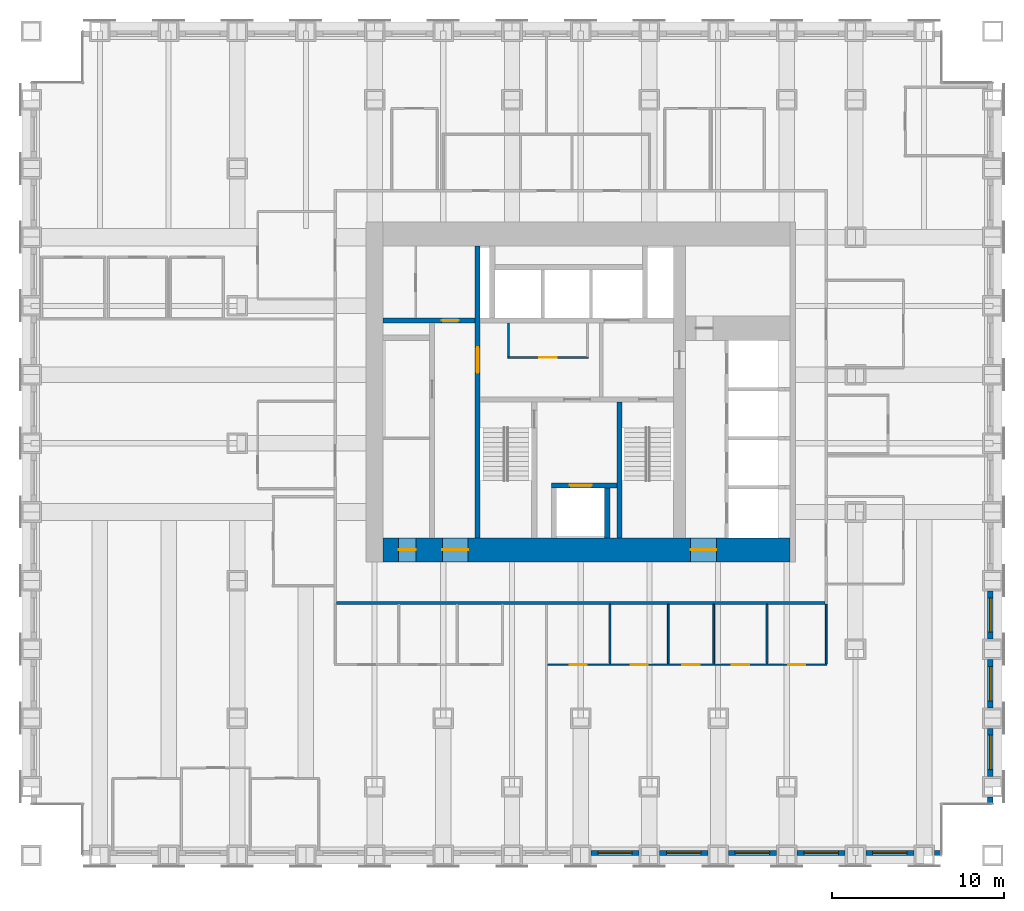
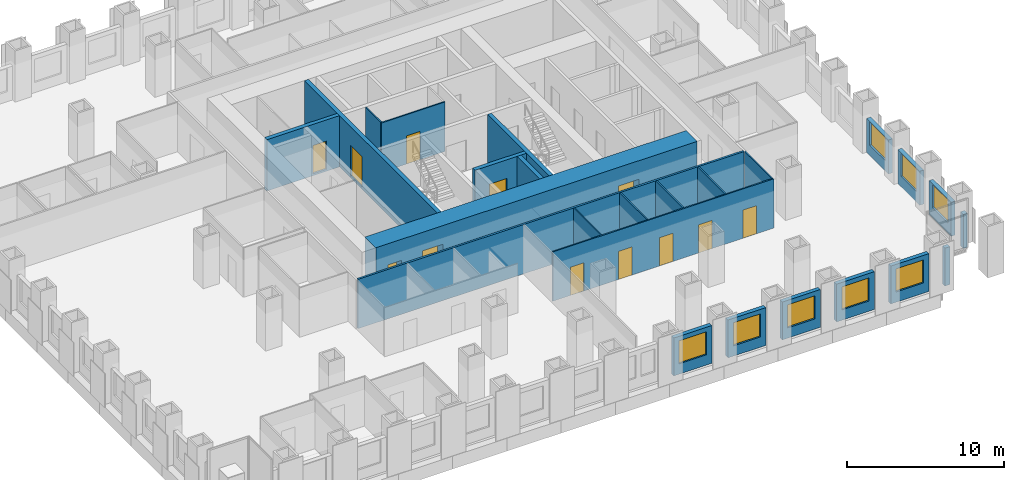
# One storey, part 9 of 15: 25 walls, 12 doors, 8 windows, 20 openings.
"""IFC4 building model written with IfcOpenShell, lengths in metres."""

from ifc_helpers import new_model, si_unit, direction, frame, frame_2d, origin, place, context, subcontext, project, spatial, rectangle, extrude, material, layer, layer_set, type_object, element, fill, save


model = new_model("IFC4")

# Units and contexts
model_context = context("Model", 3, precision=1e-05, world=origin(), true_north=direction((0.0, 1.0)))
body_context = subcontext(model_context, "Body", "Model", "MODEL_VIEW")
ifc_project = project(units=[si_unit("LENGTHUNIT", "METRE"), si_unit("AREAUNIT", "SQUARE_METRE"), si_unit("VOLUMEUNIT", "CUBIC_METRE"), si_unit("PLANEANGLEUNIT", "RADIAN"), si_unit("MASSUNIT", "GRAM", prefix="KILO")], contexts=[model_context])

# Site, building, storey
site_placement = place(None, origin())
site = spatial("IfcSite", under=ifc_project, at=site_placement, CompositionType="ELEMENT")
building_placement = place(site_placement, origin())
building = spatial("IfcBuilding", under=site, at=building_placement, Name="Rimbunsela Tower", CompositionType="ELEMENT")
storey_placement = place(building_placement, frame((0.0, 0.0, 67.0)))
storey = spatial("IfcBuildingStorey", under=building, at=storey_placement, Name="L16", CompositionType="ELEMENT", Elevation=67.0)

# Wall, opening, door
ifc_material_1 = material(Name="Concrete fc' 80 MPa", Category="concrete")
ifc_layer_1 = layer(ifc_material_1, 0.300048828125)
ifc_layer_set_1 = layer_set([ifc_layer_1], Name="Core internal wall 300")
wall_type_1 = type_object("IfcWallType", Name="Core internal wall 300", PredefinedType="SHEAR", material=ifc_layer_set_1)
wall_1_placement = place(storey_placement, frame((24.0, 18.5, -0.14990234375), z_axis=(0.0, 0.0, 1.0), x_axis=(0.0, 1.0, 0.0)))
wall_1 = element("IfcWall", 1, at=wall_1_placement, inside=storey, type_object=wall_type_1, Name="Core wall at stair A", PredefinedType="SHEAR", context=body_context, shape_type="SweptSolid", body=[
    extrude(rectangle(XDim=17.0, YDim=0.300048828125, at=frame_2d((8.5, 0.0))), origin(), (0.0, 0.0, 1.0), 4.0),
])
opening_1_placement = place(wall_1_placement, frame((9.60009765625, 0.0, 0.14990234375)))
opening_1 = element("IfcOpeningElement", 2, at=opening_1_placement, cuts=wall_1, Name="Opening D03", PredefinedType="OPENING", context=body_context, shape_type="SweptSolid", body=[
    extrude(rectangle(XDim=1.5, YDim=2.39990234375, at=frame_2d((0.75, 1.199951171875))), frame((0.0, 0.159912109375, 0.0), z_axis=(0.0, -1.0, 0.0), x_axis=(1.0, 0.0, 0.0)), (0.0, 0.0, 1.0), 0.320068359375),
])
ifc_material_2 = material(Name="Steel door, fire rated", Category="steel")
door_type_1 = type_object("IfcDoorType", Name="Core lobby door 1500", OperationType="DOUBLE_DOOR_DOUBLE_SWING", PredefinedType="DOOR", material=ifc_material_2)
door_1_placement = place(opening_1_placement, origin())
door_1 = element("IfcDoor", 3, at=door_1_placement, inside=storey, type_object=door_type_1, Name="West lobby door", OperationType="DOUBLE_DOOR_DOUBLE_SWING", OverallHeight=2.39990234375, OverallWidth=1.5, PredefinedType="DOOR", context=body_context, shape_type="SweptSolid", body=[
    extrude(rectangle(XDim=1.5, YDim=2.39990234375, at=frame_2d((0.75, 1.199951171875))), frame((0.0, 0.02490234375, 0.0), z_axis=(0.0, -1.0, 0.0), x_axis=(1.0, 0.0, 0.0)), (0.0, 0.0, 1.0), 0.050048828125),
])
fill(opening_1, door_1)

# Walls
wall_2_placement = place(storey_placement, frame((32.25, 18.5, -0.14990234375), z_axis=(0.0, 0.0, 1.0), x_axis=(0.0, 1.0, 0.0)))
element("IfcWall", 4, at=wall_2_placement, inside=storey, type_object=wall_type_1, Name="Stair B enclosure", PredefinedType="SHEAR", context=body_context, shape_type="SweptSolid", body=[
    extrude(rectangle(XDim=7.89990234375, YDim=0.300048828125, at=frame_2d((3.949951171875, 0.0))), origin(), (0.0, 0.0, 1.0), 4.0),
])
wall_3_placement = place(storey_placement, frame((31.550048828125, 18.5, -0.14990234375), z_axis=(0.0, 0.0, 1.0), x_axis=(0.0, 1.0, 0.0)))
element("IfcWall", 5, at=wall_3_placement, inside=storey, type_object=wall_type_1, Name="Firefighting lift shaft east", PredefinedType="SHEAR", context=body_context, shape_type="SweptSolid", body=[
    extrude(rectangle(XDim=2.89990234375, YDim=0.300048828125, at=frame_2d((1.449951171875, 0.0))), origin(), (0.0, 0.0, 1.0), 4.0),
])

# Wall, opening, door
wall_4_placement = place(storey_placement, frame((28.300048828125, 21.550048828125, -0.14990234375), z_axis=(0.0, 0.0, 1.0), x_axis=(1.0, 0.0, 0.0)))
wall_4 = element("IfcWall", 6, at=wall_4_placement, inside=storey, type_object=wall_type_1, Name="Firefighting lift shaft front", PredefinedType="SHEAR", context=body_context, shape_type="SweptSolid", body=[
    extrude(rectangle(XDim=3.800048828125, YDim=0.300048828125, at=frame_2d((1.89990234375, 0.0))), origin(), (0.0, 0.0, 1.0), 4.0),
])
opening_2_placement = place(wall_4_placement, frame((1.050048828125, 0.0, 0.14990234375)))
opening_2 = element("IfcOpeningElement", 7, at=opening_2_placement, cuts=wall_4, Name="Opening LD2", PredefinedType="OPENING", context=body_context, shape_type="SweptSolid", body=[
    extrude(rectangle(XDim=1.300048828125, YDim=2.39990234375, at=frame_2d((0.64990234375, 1.199951171875))), frame((0.0, 0.159912109375, 0.0), z_axis=(0.0, -1.0, 0.0), x_axis=(1.0, 0.0, 0.0)), (0.0, 0.0, 1.0), 0.320068359375),
])
ifc_material_3 = material(Name="Steel door, fire rated", Category="steel")
door_type_2 = type_object("IfcDoorType", Name="Lift landing door 1300", OperationType="DOUBLE_DOOR_SLIDING", PredefinedType="DOOR", material=ifc_material_3)
door_2_placement = place(opening_2_placement, origin())
door_2 = element("IfcDoor", 8, at=door_2_placement, inside=storey, type_object=door_type_2, Name="Lift landing door FL1", OperationType="DOUBLE_DOOR_SLIDING", OverallHeight=2.39990234375, OverallWidth=1.300048828125, PredefinedType="DOOR", context=body_context, shape_type="SweptSolid", body=[
    extrude(rectangle(XDim=1.300048828125, YDim=2.39990234375, at=frame_2d((0.64990234375, 1.199951171875))), frame((0.0, 0.02490234375, 0.0), z_axis=(0.0, -1.0, 0.0), x_axis=(1.0, 0.0, 0.0)), (0.0, 0.0, 1.0), 0.050048828125),
])
fill(opening_2, door_2)

wall_5_placement = place(storey_placement, frame((18.5, 31.14990234375, -0.14990234375), z_axis=(0.0, 0.0, 1.0), x_axis=(1.0, 0.0, 0.0)))
wall_5 = element("IfcWall", 9, at=wall_5_placement, inside=storey, type_object=wall_type_1, Name="Store wall", PredefinedType="SHEAR", context=body_context, shape_type="SweptSolid", body=[
    extrude(rectangle(XDim=5.35009765625, YDim=0.300048828125, at=frame_2d((2.675048828125, 0.0))), origin(), (0.0, 0.0, 1.0), 4.0),
])
opening_3_placement = place(wall_5_placement, frame((3.39990234375, 0.0, 0.14990234375)))
opening_3 = element("IfcOpeningElement", 10, at=opening_3_placement, cuts=wall_5, Name="Opening D19", PredefinedType="OPENING", context=body_context, shape_type="SweptSolid", body=[
    extrude(rectangle(XDim=1.0, YDim=2.199951171875, at=frame_2d((0.5, 1.10009765625))), frame((0.0, 0.159912109375, 0.0), z_axis=(0.0, -1.0, 0.0), x_axis=(1.0, 0.0, 0.0)), (0.0, 0.0, 1.0), 0.320068359375),
])
ifc_material_4 = material(Name="Steel door, fire rated", Category="steel")
door_type_3 = type_object("IfcDoorType", Name="Service door 1000 fire rated", OperationType="SINGLE_SWING_LEFT", PredefinedType="DOOR", material=ifc_material_4)
door_3_placement = place(opening_3_placement, origin())
door_3 = element("IfcDoor", 11, at=door_3_placement, inside=storey, type_object=door_type_3, Name="Cleaners store door", OperationType="SINGLE_SWING_LEFT", OverallHeight=2.199951171875, OverallWidth=1.0, PredefinedType="DOOR", context=body_context, shape_type="SweptSolid", body=[
    extrude(rectangle(XDim=1.0, YDim=2.199951171875, at=frame_2d((0.5, 1.10009765625))), frame((0.0, 0.02490234375, 0.0), z_axis=(0.0, -1.0, 0.0), x_axis=(1.0, 0.0, 0.0)), (0.0, 0.0, 1.0), 0.050048828125),
])
fill(opening_3, door_3)

ifc_material_5 = material(Name="Concrete blockwork", Category="masonry")
ifc_layer_2 = layer(ifc_material_5, 0.10009765625)
ifc_layer_set_2 = layer_set([ifc_layer_2], Name="Core room partition 100")
wall_type_2 = type_object("IfcWallType", Name="Core room partition 100", PredefinedType="PARTITIONING", material=ifc_layer_set_2)
wall_6_placement = place(storey_placement, frame((25.75, 29.0, 0.0), z_axis=(0.0, 0.0, 1.0), x_axis=(1.0, 0.0, 0.0)))
wall_6 = element("IfcWall", 12, at=wall_6_placement, inside=storey, type_object=wall_type_2, Name="Lobby room wall", PredefinedType="PARTITIONING", context=body_context, shape_type="SweptSolid", body=[
    extrude(rectangle(XDim=4.699951171875, YDim=0.10009765625, at=frame_2d((2.35009765625, 0.0))), origin(), (0.0, 0.0, 1.0), 3.85009765625),
])
opening_4_placement = place(wall_6_placement, frame((1.85009765625, 0.0, 0.0)))
opening_4 = element("IfcOpeningElement", 13, at=opening_4_placement, cuts=wall_6, Name="Opening D19", PredefinedType="OPENING", context=body_context, shape_type="SweptSolid", body=[
    extrude(rectangle(XDim=1.0, YDim=2.199951171875, at=frame_2d((0.5, 1.10009765625))), frame((0.0, 0.06005859375, 0.0), z_axis=(0.0, -1.0, 0.0), x_axis=(1.0, 0.0, 0.0)), (0.0, 0.0, 1.0), 0.1201171875),
])
door_4_placement = place(opening_4_placement, origin())
door_4 = element("IfcDoor", 14, at=door_4_placement, inside=storey, type_object=door_type_3, Name="Tenant store door", OperationType="SINGLE_SWING_LEFT", OverallHeight=2.199951171875, OverallWidth=1.0, PredefinedType="DOOR", context=body_context, shape_type="SweptSolid", body=[
    extrude(rectangle(XDim=1.0, YDim=2.199951171875, at=frame_2d((0.5, 1.10009765625))), frame((0.0, 0.02490234375, 0.0), z_axis=(0.0, -1.0, 0.0), x_axis=(1.0, 0.0, 0.0)), (0.0, 0.0, 1.0), 0.050048828125),
])
fill(opening_4, door_4)

# Wall
wall_7_placement = place(storey_placement, frame((25.800048828125, 29.050048828125, 0.0), z_axis=(0.0, 0.0, 1.0), x_axis=(0.0, 1.0, 0.0)))
element("IfcWall", 15, at=wall_7_placement, inside=storey, type_object=wall_type_2, Name="Lobby room wall", PredefinedType="PARTITIONING", context=body_context, shape_type="SweptSolid", body=[
    extrude(rectangle(XDim=1.949951171875, YDim=0.10009765625, at=frame_2d((0.97509765625, 0.0))), origin(), (0.0, 0.0, 1.0), 3.85009765625),
])

# Wall, openings, doors
ifc_material_6 = material(Name="Concrete fc' 80 MPa", Category="concrete")
ifc_layer_3 = layer(ifc_material_6, 1.39990234375)
ifc_layer_set_3 = layer_set([ifc_layer_3], Name="Core wall 1400")
wall_type_3 = type_object("IfcWallType", Name="Core wall 1400", PredefinedType="SHEAR", material=ifc_layer_set_3)
wall_8_placement = place(storey_placement, frame((18.5, 17.800048828125, -0.14990234375), z_axis=(0.0, 0.0, 1.0), x_axis=(1.0, 0.0, 0.0)))
wall_8 = element("IfcWall", 16, at=wall_8_placement, inside=storey, type_object=wall_type_3, Name="Core wall south", PredefinedType="SHEAR", context=body_context, shape_type="SweptSolid", body=[
    extrude(rectangle(XDim=23.699951171875, YDim=1.39990234375, at=frame_2d((11.85009765625, 0.0))), origin(), (0.0, 0.0, 1.0), 4.0),
])
opening_5_placement = place(wall_8_placement, frame((3.449951171875, 0.0, 0.14990234375)))
opening_5 = element("IfcOpeningElement", 17, at=opening_5_placement, cuts=wall_8, Name="Opening D03", PredefinedType="OPENING", context=body_context, shape_type="SweptSolid", body=[
    extrude(rectangle(XDim=1.5, YDim=2.39990234375, at=frame_2d((0.75, 1.199951171875))), frame((0.0, 0.7099609375, 0.0), z_axis=(0.0, -1.0, 0.0), x_axis=(1.0, 0.0, 0.0)), (0.0, 0.0, 1.0), 1.419921875),
])
opening_6_placement = place(wall_8_placement, frame((17.89990234375, 0.0, 0.14990234375)))
opening_6 = element("IfcOpeningElement", 18, at=opening_6_placement, cuts=wall_8, Name="Opening D03", PredefinedType="OPENING", context=body_context, shape_type="SweptSolid", body=[
    extrude(rectangle(XDim=1.5, YDim=2.39990234375, at=frame_2d((0.75, 1.199951171875))), frame((0.0, 0.7099609375, 0.0), z_axis=(0.0, -1.0, 0.0), x_axis=(1.0, 0.0, 0.0)), (0.0, 0.0, 1.0), 1.419921875),
])
opening_7_placement = place(wall_8_placement, frame((0.89990234375, 0.0, 0.14990234375)))
opening_7 = element("IfcOpeningElement", 19, at=opening_7_placement, cuts=wall_8, Name="Opening D19", PredefinedType="OPENING", context=body_context, shape_type="SweptSolid", body=[
    extrude(rectangle(XDim=1.0, YDim=2.199951171875, at=frame_2d((0.5, 1.10009765625))), frame((0.0, 0.7099609375, 0.0), z_axis=(0.0, -1.0, 0.0), x_axis=(1.0, 0.0, 0.0)), (0.0, 0.0, 1.0), 1.419921875),
])
door_5_placement = place(opening_5_placement, origin())
door_5 = element("IfcDoor", 20, at=door_5_placement, inside=storey, type_object=door_type_1, Name="Core door south", OperationType="DOUBLE_DOOR_DOUBLE_SWING", OverallHeight=2.39990234375, OverallWidth=1.5, PredefinedType="DOOR", context=body_context, shape_type="SweptSolid", body=[
    extrude(rectangle(XDim=1.5, YDim=2.39990234375, at=frame_2d((0.75, 1.199951171875))), frame((0.0, 0.02490234375, 0.0), z_axis=(0.0, -1.0, 0.0), x_axis=(1.0, 0.0, 0.0)), (0.0, 0.0, 1.0), 0.050048828125),
])
fill(opening_5, door_5)
door_6_placement = place(opening_6_placement, origin())
door_6 = element("IfcDoor", 21, at=door_6_placement, inside=storey, type_object=door_type_1, Name="Core door south-east", OperationType="DOUBLE_DOOR_DOUBLE_SWING", OverallHeight=2.39990234375, OverallWidth=1.5, PredefinedType="DOOR", context=body_context, shape_type="SweptSolid", body=[
    extrude(rectangle(XDim=1.5, YDim=2.39990234375, at=frame_2d((0.75, 1.199951171875))), frame((0.0, 0.02490234375, 0.0), z_axis=(0.0, -1.0, 0.0), x_axis=(1.0, 0.0, 0.0)), (0.0, 0.0, 1.0), 0.050048828125),
])
fill(opening_6, door_6)
door_7_placement = place(opening_7_placement, origin())
door_7 = element("IfcDoor", 22, at=door_7_placement, inside=storey, type_object=door_type_3, Name="Electrical room door", OperationType="SINGLE_SWING_LEFT", OverallHeight=2.199951171875, OverallWidth=1.0, PredefinedType="DOOR", context=body_context, shape_type="SweptSolid", body=[
    extrude(rectangle(XDim=1.0, YDim=2.199951171875, at=frame_2d((0.5, 1.10009765625))), frame((0.0, 0.02490234375, 0.0), z_axis=(0.0, -1.0, 0.0), x_axis=(1.0, 0.0, 0.0)), (0.0, 0.0, 1.0), 0.050048828125),
])
fill(opening_7, door_7)

ifc_material_7 = material(Name="Gypsum board on steel studs", Category="steel")
ifc_layer_4 = layer(ifc_material_7, 0.10009765625)
ifc_layer_set_4 = layer_set([ifc_layer_4], Name="Office partition 100")
wall_type_4 = type_object("IfcWallType", Name="Office partition 100", PredefinedType="PARTITIONING", material=ifc_layer_set_4)
wall_9_placement = place(storey_placement, frame((28.06103515625, 11.10009765625, 0.0), z_axis=(0.0, 0.0, 1.0), x_axis=(1.0, 0.0, 0.0)))
wall_9 = element("IfcWall", 23, at=wall_9_placement, inside=storey, type_object=wall_type_4, Name="Office partition", PredefinedType="PARTITIONING", context=body_context, shape_type="SweptSolid", body=[
    extrude(rectangle(XDim=16.2890625, YDim=0.10009765625, at=frame_2d((8.14453125, 0.0))), origin(), (0.0, 0.0, 1.0), 3.85009765625),
])
opening_8_placement = place(wall_9_placement, frame((1.2900390625, 0.0, 0.0)))
opening_8 = element("IfcOpeningElement", 24, at=opening_8_placement, cuts=wall_9, Name="Opening D17", PredefinedType="OPENING", context=body_context, shape_type="SweptSolid", body=[
    extrude(rectangle(XDim=1.0, YDim=2.199951171875, at=frame_2d((0.5, 1.10009765625))), frame((0.0, 0.06005859375, 0.0), z_axis=(0.0, -1.0, 0.0), x_axis=(1.0, 0.0, 0.0)), (0.0, 0.0, 1.0), 0.1201171875),
])
opening_9_placement = place(wall_9_placement, frame((4.840087890625, 0.0, 0.0)))
opening_9 = element("IfcOpeningElement", 25, at=opening_9_placement, cuts=wall_9, Name="Opening D16", PredefinedType="OPENING", context=body_context, shape_type="SweptSolid", body=[
    extrude(rectangle(XDim=1.0, YDim=2.199951171875, at=frame_2d((0.5, 1.10009765625))), frame((0.0, 0.06005859375, 0.0), z_axis=(0.0, -1.0, 0.0), x_axis=(1.0, 0.0, 0.0)), (0.0, 0.0, 1.0), 0.1201171875),
])
opening_10_placement = place(wall_9_placement, frame((7.864990234375, 0.0, 0.0)))
opening_10 = element("IfcOpeningElement", 26, at=opening_10_placement, cuts=wall_9, Name="Opening D16", PredefinedType="OPENING", context=body_context, shape_type="SweptSolid", body=[
    extrude(rectangle(XDim=1.0, YDim=2.199951171875, at=frame_2d((0.5, 1.10009765625))), frame((0.0, 0.06005859375, 0.0), z_axis=(0.0, -1.0, 0.0), x_axis=(1.0, 0.0, 0.0)), (0.0, 0.0, 1.0), 0.1201171875),
])
opening_11_placement = place(wall_9_placement, frame((10.739990234375, 0.0, 0.0)))
opening_11 = element("IfcOpeningElement", 27, at=opening_11_placement, cuts=wall_9, Name="Opening D16", PredefinedType="OPENING", context=body_context, shape_type="SweptSolid", body=[
    extrude(rectangle(XDim=1.0, YDim=2.199951171875, at=frame_2d((0.5, 1.10009765625))), frame((0.0, 0.06005859375, 0.0), z_axis=(0.0, -1.0, 0.0), x_axis=(1.0, 0.0, 0.0)), (0.0, 0.0, 1.0), 0.1201171875),
])
opening_12_placement = place(wall_9_placement, frame((14.014404296875, 0.0, 0.0)))
opening_12 = element("IfcOpeningElement", 28, at=opening_12_placement, cuts=wall_9, Name="Opening D16", PredefinedType="OPENING", context=body_context, shape_type="SweptSolid", body=[
    extrude(rectangle(XDim=1.0, YDim=2.199951171875, at=frame_2d((0.5, 1.10009765625))), frame((0.0, 0.06005859375, 0.0), z_axis=(0.0, -1.0, 0.0), x_axis=(1.0, 0.0, 0.0)), (0.0, 0.0, 1.0), 0.1201171875),
])
ifc_material_8 = material(Name="Glazed aluminium door", Category="aluminium")
door_type_4 = type_object("IfcDoorType", Name="Meeting room door 1000 glazed", OperationType="SINGLE_SWING_RIGHT", PredefinedType="DOOR", material=ifc_material_8)
door_8_placement = place(opening_8_placement, origin())
door_8 = element("IfcDoor", 29, at=door_8_placement, inside=storey, type_object=door_type_4, Name="Meeting room door", OperationType="SINGLE_SWING_RIGHT", OverallHeight=2.199951171875, OverallWidth=1.0, PredefinedType="DOOR", context=body_context, shape_type="SweptSolid", body=[
    extrude(rectangle(XDim=1.0, YDim=2.199951171875, at=frame_2d((0.5, 1.10009765625))), frame((0.0, 0.02490234375, 0.0), z_axis=(0.0, -1.0, 0.0), x_axis=(1.0, 0.0, 0.0)), (0.0, 0.0, 1.0), 0.050048828125),
])
fill(opening_8, door_8)
ifc_material_9 = material(Name="Timber door", Category="wood")
door_type_5 = type_object("IfcDoorType", Name="Office door 1000", OperationType="SINGLE_SWING_LEFT", PredefinedType="DOOR", material=ifc_material_9)
door_9_placement = place(opening_9_placement, origin())
door_9 = element("IfcDoor", 30, at=door_9_placement, inside=storey, type_object=door_type_5, Name="Office door", OperationType="SINGLE_SWING_LEFT", OverallHeight=2.199951171875, OverallWidth=1.0, PredefinedType="DOOR", context=body_context, shape_type="SweptSolid", body=[
    extrude(rectangle(XDim=1.0, YDim=2.199951171875, at=frame_2d((0.5, 1.10009765625))), frame((0.0, 0.02490234375, 0.0), z_axis=(0.0, -1.0, 0.0), x_axis=(1.0, 0.0, 0.0)), (0.0, 0.0, 1.0), 0.050048828125),
])
fill(opening_9, door_9)
door_10_placement = place(opening_10_placement, origin())
door_10 = element("IfcDoor", 31, at=door_10_placement, inside=storey, type_object=door_type_5, Name="Office door", OperationType="SINGLE_SWING_LEFT", OverallHeight=2.199951171875, OverallWidth=1.0, PredefinedType="DOOR", context=body_context, shape_type="SweptSolid", body=[
    extrude(rectangle(XDim=1.0, YDim=2.199951171875, at=frame_2d((0.5, 1.10009765625))), frame((0.0, 0.02490234375, 0.0), z_axis=(0.0, -1.0, 0.0), x_axis=(1.0, 0.0, 0.0)), (0.0, 0.0, 1.0), 0.050048828125),
])
fill(opening_10, door_10)
door_11_placement = place(opening_11_placement, origin())
door_11 = element("IfcDoor", 32, at=door_11_placement, inside=storey, type_object=door_type_5, Name="Office door", OperationType="SINGLE_SWING_LEFT", OverallHeight=2.199951171875, OverallWidth=1.0, PredefinedType="DOOR", context=body_context, shape_type="SweptSolid", body=[
    extrude(rectangle(XDim=1.0, YDim=2.199951171875, at=frame_2d((0.5, 1.10009765625))), frame((0.0, 0.02490234375, 0.0), z_axis=(0.0, -1.0, 0.0), x_axis=(1.0, 0.0, 0.0)), (0.0, 0.0, 1.0), 0.050048828125),
])
fill(opening_11, door_11)
door_12_placement = place(opening_12_placement, origin())
door_12 = element("IfcDoor", 33, at=door_12_placement, inside=storey, type_object=door_type_5, Name="Office door", OperationType="SINGLE_SWING_LEFT", OverallHeight=2.199951171875, OverallWidth=1.0, PredefinedType="DOOR", context=body_context, shape_type="SweptSolid", body=[
    extrude(rectangle(XDim=1.0, YDim=2.199951171875, at=frame_2d((0.5, 1.10009765625))), frame((0.0, 0.02490234375, 0.0), z_axis=(0.0, -1.0, 0.0), x_axis=(1.0, 0.0, 0.0)), (0.0, 0.0, 1.0), 0.050048828125),
])
fill(opening_12, door_12)

# Walls
for number, where, z_axis, x_axis, name in (
    (34, (31.700927734375, 11.14990234375, 0.0), (0.0, 0.0, 1.0), (0.0, 1.0, 0.0), "Office partition"),
    (35, (35.10107421875, 11.14990234375, 0.0), (0.0, 0.0, 1.0), (0.0, 1.0, 0.0), "Office partition"),
    (36, (37.7509765625, 11.14990234375, 0.0), (0.0, 0.0, 1.0), (0.0, 1.0, 0.0), "Office partition"),
    (37, (40.85107421875, 11.14990234375, 0.0), (0.0, 0.0, 1.0), (0.0, 1.0, 0.0), "Office partition"),
    (38, (44.300048828125, 11.14990234375, 0.0), (0.0, 0.0, 1.0), (0.0, 1.0, 0.0), "Office partition"),
):
    element("IfcWall", number, at=place(storey_placement, frame(where, z_axis=z_axis, x_axis=x_axis)), inside=storey, type_object=wall_type_4, Name=name, PredefinedType="PARTITIONING", context=body_context, shape_type="SweptSolid", body=[
        extrude(rectangle(XDim=3.47509765625, YDim=0.10009765625, at=frame_2d((1.737548828125, 0.0))), origin(), (0.0, 0.0, 1.0), 3.85009765625),
    ])

# Wall, opening, window
ifc_material_10 = material(Name="Precast concrete fc' 35 MPa", Category="concrete")
ifc_layer_5 = layer(ifc_material_10, 0.300048828125)
ifc_layer_set_5 = layer_set([ifc_layer_5], Name="Precast concrete fc' 35 MPa")
wall_type_5 = type_object("IfcWallType", Name="Precast facade panel 300", PredefinedType="ELEMENTEDWALL", material=ifc_layer_set_5)
wall_10_placement = place(storey_placement, frame((30.60009765625, 0.14990234375, 0.0), z_axis=(0.0, 0.0, 1.0), x_axis=(1.0, 0.0, 0.0)))
wall_10 = element("IfcWall", 39, at=wall_10_placement, inside=storey, type_object=wall_type_5, Name="Facade panel S L16", PredefinedType="ELEMENTEDWALL", context=body_context, shape_type="SweptSolid", body=[
    extrude(rectangle(XDim=2.7998046875, YDim=0.300048828125, at=frame_2d((1.39990234375, 0.0))), origin(), (0.0, 0.0, 1.0), 2.949951171875),
])
opening_13_placement = place(wall_10_placement, frame((0.39990234375, 0.0, 0.800048828125)))
opening_13 = element("IfcOpeningElement", 40, at=opening_13_placement, cuts=wall_10, Name="Opening W7", PredefinedType="OPENING", context=body_context, shape_type="SweptSolid", body=[
    extrude(rectangle(XDim=2.0, YDim=1.800048828125, at=frame_2d((1.0, 0.89990234375))), frame((0.0, 0.159912109375, 0.0), z_axis=(0.0, -1.0, 0.0), x_axis=(1.0, 0.0, 0.0)), (0.0, 0.0, 1.0), 0.320068359375),
])
ifc_material_11 = material(Name="Clear glass in aluminium frame", Category="aluminium")
window_type = type_object("IfcWindowType", Name="Window W7 2000x1800", PartitioningType="DOUBLE_PANEL_VERTICAL", PredefinedType="WINDOW", material=ifc_material_11)
window_1_placement = place(opening_13_placement, origin())
window_1 = element("IfcWindow", 41, at=window_1_placement, inside=storey, type_object=window_type, Name="Window L16", OverallHeight=1.800048828125, OverallWidth=2.0, PartitioningType="SINGLE_PANEL", PredefinedType="WINDOW", context=body_context, shape_type="SweptSolid", body=[
    extrude(rectangle(XDim=2.0, YDim=1.800048828125, at=frame_2d((1.0, 0.89990234375))), frame((0.0, 0.030029296875, 0.0), z_axis=(0.0, -1.0, 0.0), x_axis=(1.0, 0.0, 0.0)), (0.0, 0.0, 1.0), 0.06005859375),
])
fill(opening_13, window_1)

wall_11_placement = place(storey_placement, frame((34.60009765625, 0.14990234375, 0.0), z_axis=(0.0, 0.0, 1.0), x_axis=(1.0, 0.0, 0.0)))
wall_11 = element("IfcWall", 42, at=wall_11_placement, inside=storey, type_object=wall_type_5, Name="Facade panel S L16", PredefinedType="ELEMENTEDWALL", context=body_context, shape_type="SweptSolid", body=[
    extrude(rectangle(XDim=2.7998046875, YDim=0.300048828125, at=frame_2d((1.39990234375, 0.0))), origin(), (0.0, 0.0, 1.0), 2.949951171875),
])
opening_14_placement = place(wall_11_placement, frame((0.39990234375, 0.0, 0.800048828125)))
opening_14 = element("IfcOpeningElement", 43, at=opening_14_placement, cuts=wall_11, Name="Opening W7", PredefinedType="OPENING", context=body_context, shape_type="SweptSolid", body=[
    extrude(rectangle(XDim=2.0, YDim=1.800048828125, at=frame_2d((1.0, 0.89990234375))), frame((0.0, 0.159912109375, 0.0), z_axis=(0.0, -1.0, 0.0), x_axis=(1.0, 0.0, 0.0)), (0.0, 0.0, 1.0), 0.320068359375),
])
window_2_placement = place(opening_14_placement, origin())
window_2 = element("IfcWindow", 44, at=window_2_placement, inside=storey, type_object=window_type, Name="Window L16", OverallHeight=1.800048828125, OverallWidth=2.0, PartitioningType="SINGLE_PANEL", PredefinedType="WINDOW", context=body_context, shape_type="SweptSolid", body=[
    extrude(rectangle(XDim=2.0, YDim=1.800048828125, at=frame_2d((1.0, 0.89990234375))), frame((0.0, 0.030029296875, 0.0), z_axis=(0.0, -1.0, 0.0), x_axis=(1.0, 0.0, 0.0)), (0.0, 0.0, 1.0), 0.06005859375),
])
fill(opening_14, window_2)

wall_12_placement = place(storey_placement, frame((38.60009765625, 0.14990234375, 0.0), z_axis=(0.0, 0.0, 1.0), x_axis=(1.0, 0.0, 0.0)))
wall_12 = element("IfcWall", 45, at=wall_12_placement, inside=storey, type_object=wall_type_5, Name="Facade panel S L16", PredefinedType="ELEMENTEDWALL", context=body_context, shape_type="SweptSolid", body=[
    extrude(rectangle(XDim=2.7998046875, YDim=0.300048828125, at=frame_2d((1.39990234375, 0.0))), origin(), (0.0, 0.0, 1.0), 2.949951171875),
])
opening_15_placement = place(wall_12_placement, frame((0.39990234375, 0.0, 0.800048828125)))
opening_15 = element("IfcOpeningElement", 46, at=opening_15_placement, cuts=wall_12, Name="Opening W7", PredefinedType="OPENING", context=body_context, shape_type="SweptSolid", body=[
    extrude(rectangle(XDim=2.0, YDim=1.800048828125, at=frame_2d((1.0, 0.89990234375))), frame((0.0, 0.159912109375, 0.0), z_axis=(0.0, -1.0, 0.0), x_axis=(1.0, 0.0, 0.0)), (0.0, 0.0, 1.0), 0.320068359375),
])
window_3_placement = place(opening_15_placement, origin())
window_3 = element("IfcWindow", 47, at=window_3_placement, inside=storey, type_object=window_type, Name="Window L16", OverallHeight=1.800048828125, OverallWidth=2.0, PartitioningType="SINGLE_PANEL", PredefinedType="WINDOW", context=body_context, shape_type="SweptSolid", body=[
    extrude(rectangle(XDim=2.0, YDim=1.800048828125, at=frame_2d((1.0, 0.89990234375))), frame((0.0, 0.030029296875, 0.0), z_axis=(0.0, -1.0, 0.0), x_axis=(1.0, 0.0, 0.0)), (0.0, 0.0, 1.0), 0.06005859375),
])
fill(opening_15, window_3)

wall_13_placement = place(storey_placement, frame((42.60009765625, 0.14990234375, 0.0), z_axis=(0.0, 0.0, 1.0), x_axis=(1.0, 0.0, 0.0)))
wall_13 = element("IfcWall", 48, at=wall_13_placement, inside=storey, type_object=wall_type_5, Name="Facade panel S L16", PredefinedType="ELEMENTEDWALL", context=body_context, shape_type="SweptSolid", body=[
    extrude(rectangle(XDim=2.7998046875, YDim=0.300048828125, at=frame_2d((1.39990234375, 0.0))), origin(), (0.0, 0.0, 1.0), 2.949951171875),
])
opening_16_placement = place(wall_13_placement, frame((0.39990234375, 0.0, 0.800048828125)))
opening_16 = element("IfcOpeningElement", 49, at=opening_16_placement, cuts=wall_13, Name="Opening W7", PredefinedType="OPENING", context=body_context, shape_type="SweptSolid", body=[
    extrude(rectangle(XDim=2.0, YDim=1.800048828125, at=frame_2d((1.0, 0.89990234375))), frame((0.0, 0.159912109375, 0.0), z_axis=(0.0, -1.0, 0.0), x_axis=(1.0, 0.0, 0.0)), (0.0, 0.0, 1.0), 0.320068359375),
])
window_4_placement = place(opening_16_placement, origin())
window_4 = element("IfcWindow", 50, at=window_4_placement, inside=storey, type_object=window_type, Name="Window L16", OverallHeight=1.800048828125, OverallWidth=2.0, PartitioningType="SINGLE_PANEL", PredefinedType="WINDOW", context=body_context, shape_type="SweptSolid", body=[
    extrude(rectangle(XDim=2.0, YDim=1.800048828125, at=frame_2d((1.0, 0.89990234375))), frame((0.0, 0.030029296875, 0.0), z_axis=(0.0, -1.0, 0.0), x_axis=(1.0, 0.0, 0.0)), (0.0, 0.0, 1.0), 0.06005859375),
])
fill(opening_16, window_4)

wall_14_placement = place(storey_placement, frame((46.60009765625, 0.14990234375, 0.0), z_axis=(0.0, 0.0, 1.0), x_axis=(1.0, 0.0, 0.0)))
wall_14 = element("IfcWall", 51, at=wall_14_placement, inside=storey, type_object=wall_type_5, Name="Facade panel S L16", PredefinedType="ELEMENTEDWALL", context=body_context, shape_type="SweptSolid", body=[
    extrude(rectangle(XDim=2.7998046875, YDim=0.300048828125, at=frame_2d((1.39990234375, 0.0))), origin(), (0.0, 0.0, 1.0), 2.949951171875),
])
opening_17_placement = place(wall_14_placement, frame((0.39990234375, 0.0, 0.800048828125)))
opening_17 = element("IfcOpeningElement", 52, at=opening_17_placement, cuts=wall_14, Name="Opening W7", PredefinedType="OPENING", context=body_context, shape_type="SweptSolid", body=[
    extrude(rectangle(XDim=2.0, YDim=1.800048828125, at=frame_2d((1.0, 0.89990234375))), frame((0.0, 0.159912109375, 0.0), z_axis=(0.0, -1.0, 0.0), x_axis=(1.0, 0.0, 0.0)), (0.0, 0.0, 1.0), 0.320068359375),
])
window_5_placement = place(opening_17_placement, origin())
window_5 = element("IfcWindow", 53, at=window_5_placement, inside=storey, type_object=window_type, Name="Window L16", OverallHeight=1.800048828125, OverallWidth=2.0, PartitioningType="SINGLE_PANEL", PredefinedType="WINDOW", context=body_context, shape_type="SweptSolid", body=[
    extrude(rectangle(XDim=2.0, YDim=1.800048828125, at=frame_2d((1.0, 0.89990234375))), frame((0.0, 0.030029296875, 0.0), z_axis=(0.0, -1.0, 0.0), x_axis=(1.0, 0.0, 0.0)), (0.0, 0.0, 1.0), 0.06005859375),
])
fill(opening_17, window_5)

# Walls
wall_15_placement = place(storey_placement, frame((50.60009765625, 0.14990234375, 0.0), z_axis=(0.0, 0.0, 1.0), x_axis=(1.0, 0.0, 0.0)))
element("IfcWall", 54, at=wall_15_placement, inside=storey, type_object=wall_type_5, Name="Facade panel S L16", PredefinedType="ELEMENTEDWALL", context=body_context, shape_type="SweptSolid", body=[
    extrude(rectangle(XDim=0.369873046875, YDim=0.300048828125, at=frame_2d((0.18505859375, 0.0))), origin(), (0.0, 0.0, 1.0), 2.949951171875),
])
wall_16_placement = place(storey_placement, frame((53.85009765625, 3.030029296875, 0.0), z_axis=(0.0, 0.0, 1.0), x_axis=(0.0, 1.0, 0.0)))
element("IfcWall", 55, at=wall_16_placement, inside=storey, type_object=wall_type_5, Name="Facade panel E L16", PredefinedType="ELEMENTEDWALL", context=body_context, shape_type="SweptSolid", body=[
    extrude(rectangle(XDim=0.369873046875, YDim=0.300048828125, at=frame_2d((0.18505859375, 0.0))), origin(), (0.0, 0.0, 1.0), 2.64990234375),
])

# Wall, opening, window
wall_17_placement = place(storey_placement, frame((53.85009765625, 4.60009765625, 0.0), z_axis=(0.0, 0.0, 1.0), x_axis=(0.0, 1.0, 0.0)))
wall_17 = element("IfcWall", 56, at=wall_17_placement, inside=storey, type_object=wall_type_5, Name="Facade panel E L16", PredefinedType="ELEMENTEDWALL", context=body_context, shape_type="SweptSolid", body=[
    extrude(rectangle(XDim=2.7998046875, YDim=0.300048828125, at=frame_2d((1.39990234375, 0.0))), origin(), (0.0, 0.0, 1.0), 2.64990234375),
])
opening_18_placement = place(wall_17_placement, frame((0.39990234375, 0.0, 0.800048828125)))
opening_18 = element("IfcOpeningElement", 57, at=opening_18_placement, cuts=wall_17, Name="Opening W7", PredefinedType="OPENING", context=body_context, shape_type="SweptSolid", body=[
    extrude(rectangle(XDim=2.0, YDim=1.800048828125, at=frame_2d((1.0, 0.89990234375))), frame((0.0, 0.159912109375, 0.0), z_axis=(0.0, -1.0, 0.0), x_axis=(1.0, 0.0, 0.0)), (0.0, 0.0, 1.0), 0.320068359375),
])
window_6_placement = place(opening_18_placement, origin())
window_6 = element("IfcWindow", 58, at=window_6_placement, inside=storey, type_object=window_type, Name="Window L16", OverallHeight=1.800048828125, OverallWidth=2.0, PartitioningType="SINGLE_PANEL", PredefinedType="WINDOW", context=body_context, shape_type="SweptSolid", body=[
    extrude(rectangle(XDim=2.0, YDim=1.800048828125, at=frame_2d((1.0, 0.89990234375))), frame((0.0, 0.030029296875, 0.0), z_axis=(0.0, -1.0, 0.0), x_axis=(1.0, 0.0, 0.0)), (0.0, 0.0, 1.0), 0.06005859375),
])
fill(opening_18, window_6)

wall_18_placement = place(storey_placement, frame((53.85009765625, 8.60009765625, 0.0), z_axis=(0.0, 0.0, 1.0), x_axis=(0.0, 1.0, 0.0)))
wall_18 = element("IfcWall", 59, at=wall_18_placement, inside=storey, type_object=wall_type_5, Name="Facade panel E L16", PredefinedType="ELEMENTEDWALL", context=body_context, shape_type="SweptSolid", body=[
    extrude(rectangle(XDim=2.7998046875, YDim=0.300048828125, at=frame_2d((1.39990234375, 0.0))), origin(), (0.0, 0.0, 1.0), 2.64990234375),
])
opening_19_placement = place(wall_18_placement, frame((0.39990234375, 0.0, 0.800048828125)))
opening_19 = element("IfcOpeningElement", 60, at=opening_19_placement, cuts=wall_18, Name="Opening W7", PredefinedType="OPENING", context=body_context, shape_type="SweptSolid", body=[
    extrude(rectangle(XDim=2.0, YDim=1.800048828125, at=frame_2d((1.0, 0.89990234375))), frame((0.0, 0.159912109375, 0.0), z_axis=(0.0, -1.0, 0.0), x_axis=(1.0, 0.0, 0.0)), (0.0, 0.0, 1.0), 0.320068359375),
])
window_7_placement = place(opening_19_placement, origin())
window_7 = element("IfcWindow", 61, at=window_7_placement, inside=storey, type_object=window_type, Name="Window L16", OverallHeight=1.800048828125, OverallWidth=2.0, PartitioningType="SINGLE_PANEL", PredefinedType="WINDOW", context=body_context, shape_type="SweptSolid", body=[
    extrude(rectangle(XDim=2.0, YDim=1.800048828125, at=frame_2d((1.0, 0.89990234375))), frame((0.0, 0.030029296875, 0.0), z_axis=(0.0, -1.0, 0.0), x_axis=(1.0, 0.0, 0.0)), (0.0, 0.0, 1.0), 0.06005859375),
])
fill(opening_19, window_7)

wall_19_placement = place(storey_placement, frame((53.85009765625, 12.60009765625, 0.0), z_axis=(0.0, 0.0, 1.0), x_axis=(0.0, 1.0, 0.0)))
wall_19 = element("IfcWall", 62, at=wall_19_placement, inside=storey, type_object=wall_type_5, Name="Facade panel E L16", PredefinedType="ELEMENTEDWALL", context=body_context, shape_type="SweptSolid", body=[
    extrude(rectangle(XDim=2.7998046875, YDim=0.300048828125, at=frame_2d((1.39990234375, 0.0))), origin(), (0.0, 0.0, 1.0), 2.64990234375),
])
opening_20_placement = place(wall_19_placement, frame((0.39990234375, 0.0, 0.800048828125)))
opening_20 = element("IfcOpeningElement", 63, at=opening_20_placement, cuts=wall_19, Name="Opening W7", PredefinedType="OPENING", context=body_context, shape_type="SweptSolid", body=[
    extrude(rectangle(XDim=2.0, YDim=1.800048828125, at=frame_2d((1.0, 0.89990234375))), frame((0.0, 0.159912109375, 0.0), z_axis=(0.0, -1.0, 0.0), x_axis=(1.0, 0.0, 0.0)), (0.0, 0.0, 1.0), 0.320068359375),
])
window_8_placement = place(opening_20_placement, origin())
window_8 = element("IfcWindow", 64, at=window_8_placement, inside=storey, type_object=window_type, Name="Window L16", OverallHeight=1.800048828125, OverallWidth=2.0, PartitioningType="SINGLE_PANEL", PredefinedType="WINDOW", context=body_context, shape_type="SweptSolid", body=[
    extrude(rectangle(XDim=2.0, YDim=1.800048828125, at=frame_2d((1.0, 0.89990234375))), frame((0.0, 0.030029296875, 0.0), z_axis=(0.0, -1.0, 0.0), x_axis=(1.0, 0.0, 0.0)), (0.0, 0.0, 1.0), 0.06005859375),
])
fill(opening_20, window_8)

# Wall
ifc_material_12 = material(Name="Fire-rated gypsum board on steel studs, EI 60", Category="steel")
ifc_layer_6 = layer(ifc_material_12, 0.14990234375)
ifc_layer_set_6 = layer_set([ifc_layer_6], Name="Rated corridor wall 150")
wall_type_6 = type_object("IfcWallType", Name="Rated corridor wall 150", PredefinedType="PARTITIONING", material=ifc_layer_set_6)
wall_20_placement = place(storey_placement, frame((15.77490234375, 14.699951171875, 0.0), z_axis=(0.0, 0.0, 1.0), x_axis=(1.0, 0.0, 0.0)))
element("IfcWall", 65, at=wall_20_placement, inside=storey, type_object=wall_type_6, Name="Corridor wall south", PredefinedType="PARTITIONING", context=body_context, shape_type="SweptSolid", body=[
    extrude(rectangle(XDim=28.4501953125, YDim=0.14990234375, at=frame_2d((14.22509765625, 0.0))), origin(), (0.0, 0.0, 1.0), 3.85009765625),
])

save(model, "model.ifc")
